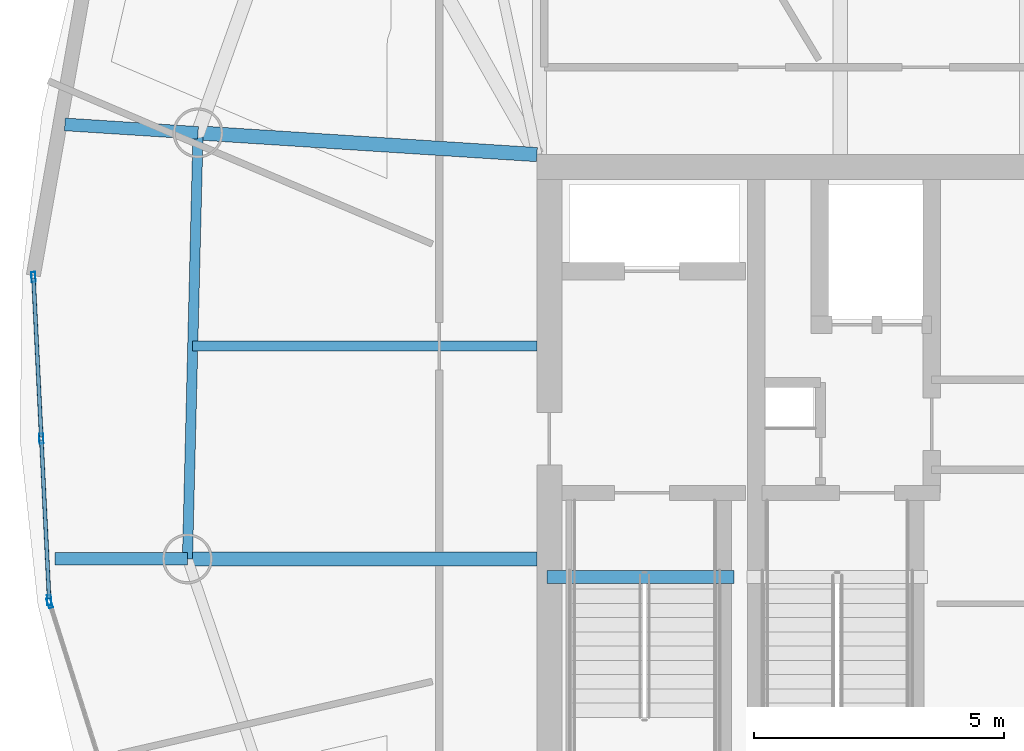
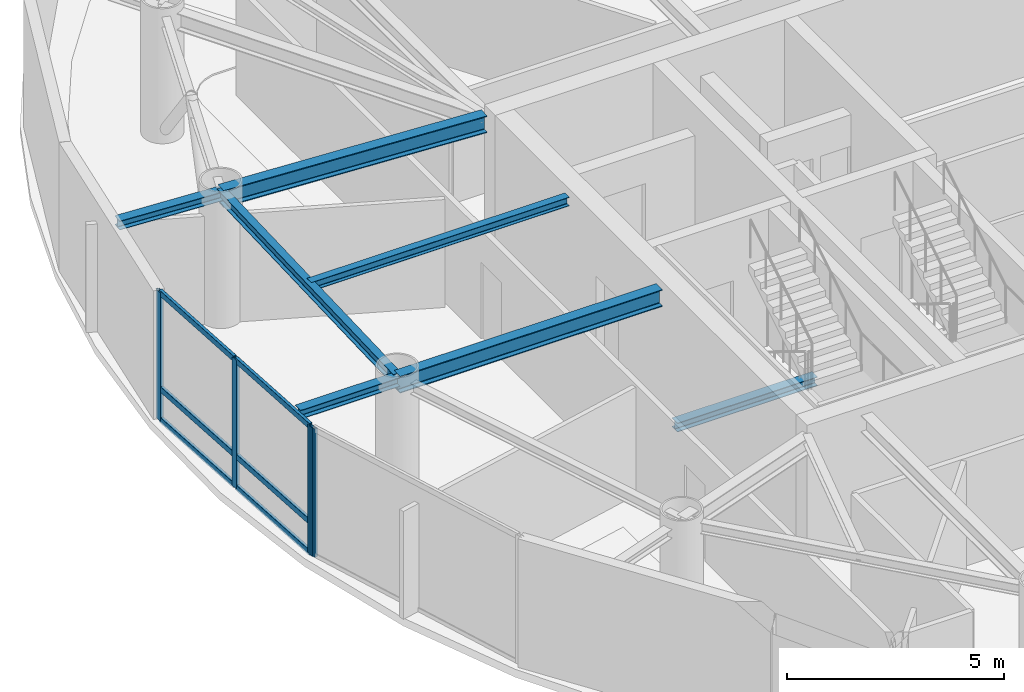
# One storey, part 5 of 19: 10 members, 7 beams, 2 elements without a shape of their own.
"""IFC4 building model written with IfcOpenShell, lengths in metres."""

from ifc_helpers import new_model, si_unit, direction, frame, origin, origin_2d, place, context, subcontext, project, spatial, hollow_rectangle, i_section, extrude, material, layer, layer_set, material_profile, profile_set, type_object, element, aggregate, save


model = new_model("IFC4")

# Units and contexts
model_context = context("Model", 3, precision=1e-05, world=origin(), true_north=direction((0.0, 1.0)))
body_context = subcontext(model_context, "Body", "Model", "MODEL_VIEW")
ifc_project = project(units=[si_unit("LENGTHUNIT", "METRE"), si_unit("AREAUNIT", "SQUARE_METRE"), si_unit("VOLUMEUNIT", "CUBIC_METRE"), si_unit("PLANEANGLEUNIT", "RADIAN"), si_unit("MASSUNIT", "GRAM", prefix="KILO")], contexts=[model_context])

# Site, building, storey
site_placement = place(None, origin())
site = spatial("IfcSite", under=ifc_project, at=site_placement, CompositionType="ELEMENT")
building_placement = place(site_placement, origin())
building = spatial("IfcBuilding", under=site, at=building_placement, Name="Bramvorn Convention Spire", CompositionType="ELEMENT")
storey_placement = place(building_placement, frame((0.0, 0.0, 292.10009765625)))
storey = spatial("IfcBuildingStorey", under=building, at=storey_placement, Name="L74", CompositionType="ELEMENT", Elevation=292.10009765625)

# Beams
ifc_material_1 = material(Name="Steel CSA G40.21 Grade 350 (350W)", Category="steel")
ifc_material_profile_1 = material_profile(ifc_material_1, i_section(OverallWidth=0.201904296875, OverallDepth=0.2470703125, WebThickness=0.00732421875, FlangeThickness=0.010986328125, FilletRadius=0.011962890625, at=origin_2d()))
ifc_profile_set_1 = profile_set([ifc_material_profile_1], Name="Steel CSA G40.21 Grade 350 (350W) - W250X49")
beam_type_1 = type_object("IfcBeamType", Name="BM-W250X49", PredefinedType="JOIST", material=ifc_profile_set_1)
beam_1_placement = place(storey_placement, frame((26.75, 29.626953125, 3.50146484375), z_axis=(-1.0, 0.0, 0.0), x_axis=(0.0, -1.0, 0.0)))
element("IfcBeam", 1, at=beam_1_placement, inside=storey, type_object=beam_type_1, Name="L74 composite floor joist 11", PredefinedType="JOIST", context=body_context, shape_type="SweptSolid", body=[
    extrude(i_section(OverallWidth=0.201904296875, OverallDepth=0.2470703125, WebThickness=0.00732421875, FlangeThickness=0.010986328125, FilletRadius=0.011962890625, at=origin_2d()), origin(), (0.0, 0.0, 1.0), 6.879150390625),
])
ifc_material_profile_2 = material_profile(ifc_material_1, i_section(OverallWidth=0.25390625, OverallDepth=0.2529296875, WebThickness=0.008544921875, FlangeThickness=0.01416015625, FilletRadius=0.011962890625, at=origin_2d()))
ifc_profile_set_2 = profile_set([ifc_material_profile_2], Name="Steel CSA G40.21 Grade 350 (350W) - W250X73")
beam_type_2 = type_object("IfcBeamType", Name="BM-W250X73", PredefinedType="BEAM", material=ifc_profile_set_2)
beam_2_placement = place(storey_placement, frame((19.976318359375, 33.883544921875, 3.45849609375), z_axis=(-0.997962142765, 0.063808789424, 0.0), x_axis=(-0.063808789424, -0.997962142765, 0.0)))
element("IfcBeam", 2, at=beam_2_placement, inside=storey, type_object=beam_type_2, Name="L74 slab-edge cantilever tip beam MC11", PredefinedType="BEAM", context=body_context, shape_type="SweptSolid", body=[
    extrude(i_section(OverallWidth=0.25390625, OverallDepth=0.2529296875, WebThickness=0.008544921875, FlangeThickness=0.01416015625, FilletRadius=0.011962890625, at=origin_2d()), origin(), (0.0, 0.0, 1.0), 2.666748046875),
])
beam_3_placement = place(storey_placement, frame((19.765380859375, 25.37060546875, 3.45849609375), z_axis=(-1.0, 0.0, 0.0), x_axis=(0.0, -1.0, 0.0)))
element("IfcBeam", 3, at=beam_3_placement, inside=storey, type_object=beam_type_2, Name="L74 slab-edge cantilever tip beam MC12", PredefinedType="BEAM", context=body_context, shape_type="SweptSolid", body=[
    extrude(i_section(OverallWidth=0.25390625, OverallDepth=0.2529296875, WebThickness=0.008544921875, FlangeThickness=0.01416015625, FilletRadius=0.011962890625, at=origin_2d()), origin(), (0.0, 0.0, 1.0), 2.6474609375),
])
beam_4_placement = place(storey_placement, frame((26.949951171875, 25.010009765625, -0.126708984375), z_axis=(1.0, 0.0, 0.0), x_axis=(0.0, 1.0, 0.0)))
element("IfcBeam", 4, at=beam_4_placement, inside=storey, type_object=beam_type_2, Name="L74 ST1 stair arrival header beam", PredefinedType="BEAM", context=body_context, shape_type="SweptSolid", body=[
    extrude(i_section(OverallWidth=0.25390625, OverallDepth=0.2529296875, WebThickness=0.008544921875, FlangeThickness=0.01416015625, FilletRadius=0.011962890625, at=origin_2d()), origin(), (0.0, 0.0, 1.0), 3.739990234375),
])
ifc_material_profile_3 = material_profile(ifc_material_1, i_section(OverallWidth=0.202880859375, OverallDepth=0.302978515625, WebThickness=0.007568359375, FlangeThickness=0.01318359375, FilletRadius=0.013916015625, at=origin_2d()))
ifc_profile_set_3 = profile_set([ifc_material_profile_3], Name="Steel CSA G40.21 Grade 350 (350W) - W310X60")
beam_type_3 = type_object("IfcBeamType", Name="BM-W310X60", PredefinedType="JOIST", material=ifc_profile_set_3)
beam_5_placement = place(storey_placement, frame((19.976318359375, 33.883544921875, 3.473388671875), z_axis=(-0.024770853371, -0.999693155335, 0.0), x_axis=(0.999693155335, -0.024770853371, 0.0)))
element("IfcBeam", 5, at=beam_5_placement, inside=storey, type_object=beam_type_3, Name="L74 mega-column ring beam 11", PredefinedType="JOIST", context=body_context, shape_type="SweptSolid", body=[
    extrude(i_section(OverallWidth=0.202880859375, OverallDepth=0.302978515625, WebThickness=0.007568359375, FlangeThickness=0.01318359375, FilletRadius=0.013916015625, at=origin_2d()), origin(), (0.0, 0.0, 1.0), 8.515625),
])
ifc_material_profile_4 = material_profile(ifc_material_1, i_section(OverallWidth=0.283935546875, OverallDepth=0.47607421875, WebThickness=0.014892578125, FlangeThickness=0.02392578125, FilletRadius=0.01806640625, at=origin_2d()))
ifc_profile_set_4 = profile_set([ifc_material_profile_4], Name="Steel CSA G40.21 Grade 350 (350W) - W460X158")
beam_type_4 = type_object("IfcBeamType", Name="BM-W460X158", PredefinedType="SPANDREL", material=ifc_profile_set_4)
beam_6_placement = place(storey_placement, frame((26.75, 33.449951171875, 3.386962890625), z_axis=(-0.997957536354, 0.063880792379, 0.0), x_axis=(-0.063880792379, -0.997957536354, 0.0)))
element("IfcBeam", 6, at=beam_6_placement, inside=storey, type_object=beam_type_4, Name="L74 radial floor girder MC11", PredefinedType="SPANDREL", context=body_context, shape_type="SweptSolid", body=[
    extrude(i_section(OverallWidth=0.283935546875, OverallDepth=0.47607421875, WebThickness=0.014892578125, FlangeThickness=0.02392578125, FilletRadius=0.01806640625, at=origin_2d()), origin(), (0.0, 0.0, 1.0), 6.78759765625),
])
beam_7_placement = place(storey_placement, frame((26.75, 25.37060546875, 3.386962890625), z_axis=(-1.0, 0.0, 0.0), x_axis=(0.0, -1.0, 0.0)))
element("IfcBeam", 7, at=beam_7_placement, inside=storey, type_object=beam_type_4, Name="L74 radial floor girder MC12", PredefinedType="SPANDREL", context=body_context, shape_type="SweptSolid", body=[
    extrude(i_section(OverallWidth=0.283935546875, OverallDepth=0.47607421875, WebThickness=0.014892578125, FlangeThickness=0.02392578125, FilletRadius=0.01806640625, at=origin_2d()), origin(), (0.0, 0.0, 1.0), 6.984619140625),
])

# Curtain wall, members
ifc_material_2 = material(Name="Anodised Bronze Unitised Curtain Wall", Category="aluminium")
ifc_layer = layer(ifc_material_2, 0.179931640625)
ifc_layer_set = layer_set([ifc_layer], Name="Anodised Bronze Unitised Curtain Wall - CW-OFF-FRIT")
curtain_wall_type = type_object("IfcCurtainWallType", Name="CW-OFF-FRIT", PredefinedType="USERDEFINED", material=ifc_layer_set)
curtain_wall_1_placement = place(storey_placement, origin())
curtain_wall_1 = element("IfcCurtainWall", 8, at=curtain_wall_1_placement, inside=storey, type_object=curtain_wall_type, Name="L74 fritted glass curtain wall 17", ObjectType="UNITISED CURTAIN WALL", PredefinedType="USERDEFINED")
ifc_material_3 = material(Name="Anodised Bronze Aluminium 6063-T6", Category="aluminium")
ifc_material_profile_5 = material_profile(ifc_material_3, hollow_rectangle(XDim=0.080078125, YDim=0.199951171875, WallThickness=0.00390625, InnerFilletRadius=0.0009765625, OuterFilletRadius=0.00390625, at=origin_2d()))
ifc_profile_set_5 = profile_set([ifc_material_profile_5], Name="Anodised Bronze Aluminium 6063-T6 - CWM80X200")
member_type_1 = type_object("IfcMemberType", Name="CW-MUL-180", PredefinedType="MULLION", material=ifc_profile_set_5)
member_1_placement = place(storey_placement, frame((17.002197265625, 24.545654296875, 0.0), z_axis=(0.0, 0.0, 1.0), x_axis=(-0.998812914862, -0.048710995733, 0.0)))
member_1 = element("IfcMember", 9, at=member_1_placement, type_object=member_type_1, Name="CW3 mullion 1", PredefinedType="MULLION", context=body_context, shape_type="SweptSolid", body=[
    extrude(hollow_rectangle(XDim=0.080078125, YDim=0.199951171875, WallThickness=0.00390625, InnerFilletRadius=0.0009765625, OuterFilletRadius=0.00390625, at=origin_2d()), origin(), (0.0, 0.0, 1.0), 3.625),
])
member_2_placement = place(storey_placement, frame((16.8447265625, 27.77490234375, 0.0), z_axis=(0.0, 0.0, 1.0), x_axis=(-0.998812914862, -0.048710995733, 0.0)))
member_2 = element("IfcMember", 10, at=member_2_placement, type_object=member_type_1, Name="CW3 mullion 2", PredefinedType="MULLION", context=body_context, shape_type="SweptSolid", body=[
    extrude(hollow_rectangle(XDim=0.080078125, YDim=0.199951171875, WallThickness=0.00390625, InnerFilletRadius=0.0009765625, OuterFilletRadius=0.00390625, at=origin_2d()), origin(), (0.0, 0.0, 1.0), 3.625),
])
member_3_placement = place(storey_placement, frame((16.687255859375, 31.004150390625, 0.0), z_axis=(0.0, 0.0, 1.0), x_axis=(-0.998812914862, -0.048710995733, 0.0)))
member_3 = element("IfcMember", 11, at=member_3_placement, type_object=member_type_1, Name="CW3 mullion 3", PredefinedType="MULLION", context=body_context, shape_type="SweptSolid", body=[
    extrude(hollow_rectangle(XDim=0.080078125, YDim=0.199951171875, WallThickness=0.00390625, InnerFilletRadius=0.0009765625, OuterFilletRadius=0.00390625, at=origin_2d()), origin(), (0.0, 0.0, 1.0), 3.625),
])

# Curtain wall, member
curtain_wall_2_placement = place(storey_placement, origin())
curtain_wall_2 = element("IfcCurtainWall", 12, at=curtain_wall_2_placement, inside=storey, type_object=curtain_wall_type, Name="L74 fritted glass curtain wall 18", ObjectType="UNITISED CURTAIN WALL", PredefinedType="USERDEFINED")
member_4_placement = place(storey_placement, frame((17.0126953125, 24.487060546875, 0.0), z_axis=(0.0, 0.0, 1.0), x_axis=(-0.953619475094, -0.301014778245, 0.0)))
member_4 = element("IfcMember", 13, at=member_4_placement, type_object=member_type_1, Name="CW3 mullion 2", PredefinedType="MULLION", context=body_context, shape_type="SweptSolid", body=[
    extrude(hollow_rectangle(XDim=0.080078125, YDim=0.199951171875, WallThickness=0.00390625, InnerFilletRadius=0.0009765625, OuterFilletRadius=0.00390625, at=origin_2d()), origin(), (0.0, 0.0, 1.0), 3.625),
])
aggregate(curtain_wall_2, [member_4])

# Member
ifc_material_profile_6 = material_profile(ifc_material_3, hollow_rectangle(XDim=0.080078125, YDim=0.159912109375, WallThickness=0.00390625, InnerFilletRadius=0.0009765625, OuterFilletRadius=0.00390625, at=origin_2d()))
ifc_profile_set_6 = profile_set([ifc_material_profile_6], Name="Anodised Bronze Aluminium 6063-T6 - CWT80X160")
member_type_2 = type_object("IfcMemberType", Name="CW-TRN-150", PredefinedType="USERDEFINED", material=ifc_profile_set_6)
member_5_placement = place(storey_placement, frame((17.000732421875, 24.57568359375, 0.02978515625), z_axis=(-0.048705703603, 0.998813172939, 0.0), x_axis=(-0.998813172939, -0.048705703603, 0.0)))
member_5 = element("IfcMember", 14, at=member_5_placement, type_object=member_type_2, Name="CW3 transom 1.1", ObjectType="TRANSOM", PredefinedType="USERDEFINED", context=body_context, shape_type="SweptSolid", body=[
    extrude(hollow_rectangle(XDim=0.080078125, YDim=0.159912109375, WallThickness=0.00390625, InnerFilletRadius=0.0009765625, OuterFilletRadius=0.00390625, at=origin_2d()), origin(), (0.0, 0.0, 1.0), 3.1728515625),
])

member_6_placement = place(storey_placement, frame((17.000732421875, 24.57568359375, 0.89990234375), z_axis=(-0.048705703603, 0.998813172939, 0.0), x_axis=(-0.998813172939, -0.048705703603, 0.0)))
member_6 = element("IfcMember", 15, at=member_6_placement, type_object=member_type_2, Name="CW3 transom 1.2", ObjectType="TRANSOM", PredefinedType="USERDEFINED", context=body_context, shape_type="SweptSolid", body=[
    extrude(hollow_rectangle(XDim=0.080078125, YDim=0.159912109375, WallThickness=0.00390625, InnerFilletRadius=0.0009765625, OuterFilletRadius=0.00390625, at=origin_2d()), origin(), (0.0, 0.0, 1.0), 3.1728515625),
])

member_7_placement = place(storey_placement, frame((17.000732421875, 24.57568359375, 3.594970703125), z_axis=(-0.048705703603, 0.998813172939, 0.0), x_axis=(-0.998813172939, -0.048705703603, 0.0)))
member_7 = element("IfcMember", 16, at=member_7_placement, type_object=member_type_2, Name="CW3 transom 1.3", ObjectType="TRANSOM", PredefinedType="USERDEFINED", context=body_context, shape_type="SweptSolid", body=[
    extrude(hollow_rectangle(XDim=0.080078125, YDim=0.159912109375, WallThickness=0.00390625, InnerFilletRadius=0.0009765625, OuterFilletRadius=0.00390625, at=origin_2d()), origin(), (0.0, 0.0, 1.0), 3.1728515625),
])

member_8_placement = place(storey_placement, frame((16.84326171875, 27.804931640625, 0.02978515625), z_axis=(-0.048701960715, 0.998813355449, 0.0), x_axis=(-0.998813355449, -0.048701960715, 0.0)))
member_8 = element("IfcMember", 17, at=member_8_placement, type_object=member_type_2, Name="CW3 transom 2.1", ObjectType="TRANSOM", PredefinedType="USERDEFINED", context=body_context, shape_type="SweptSolid", body=[
    extrude(hollow_rectangle(XDim=0.080078125, YDim=0.159912109375, WallThickness=0.00390625, InnerFilletRadius=0.0009765625, OuterFilletRadius=0.00390625, at=origin_2d()), origin(), (0.0, 0.0, 1.0), 3.173095703125),
])

member_9_placement = place(storey_placement, frame((16.84326171875, 27.804931640625, 0.89990234375), z_axis=(-0.048701960715, 0.998813355449, 0.0), x_axis=(-0.998813355449, -0.048701960715, 0.0)))
member_9 = element("IfcMember", 18, at=member_9_placement, type_object=member_type_2, Name="CW3 transom 2.2", ObjectType="TRANSOM", PredefinedType="USERDEFINED", context=body_context, shape_type="SweptSolid", body=[
    extrude(hollow_rectangle(XDim=0.080078125, YDim=0.159912109375, WallThickness=0.00390625, InnerFilletRadius=0.0009765625, OuterFilletRadius=0.00390625, at=origin_2d()), origin(), (0.0, 0.0, 1.0), 3.173095703125),
])

member_10_placement = place(storey_placement, frame((16.84326171875, 27.804931640625, 3.594970703125), z_axis=(-0.048701960715, 0.998813355449, 0.0), x_axis=(-0.998813355449, -0.048701960715, 0.0)))
member_10 = element("IfcMember", 19, at=member_10_placement, type_object=member_type_2, Name="CW3 transom 2.3", ObjectType="TRANSOM", PredefinedType="USERDEFINED", context=body_context, shape_type="SweptSolid", body=[
    extrude(hollow_rectangle(XDim=0.080078125, YDim=0.159912109375, WallThickness=0.00390625, InnerFilletRadius=0.0009765625, OuterFilletRadius=0.00390625, at=origin_2d()), origin(), (0.0, 0.0, 1.0), 3.173095703125),
])

aggregate(curtain_wall_1, [member_1, member_2, member_3, member_5, member_6, member_7, member_8, member_9, member_10])

save(model, "model.ifc")
